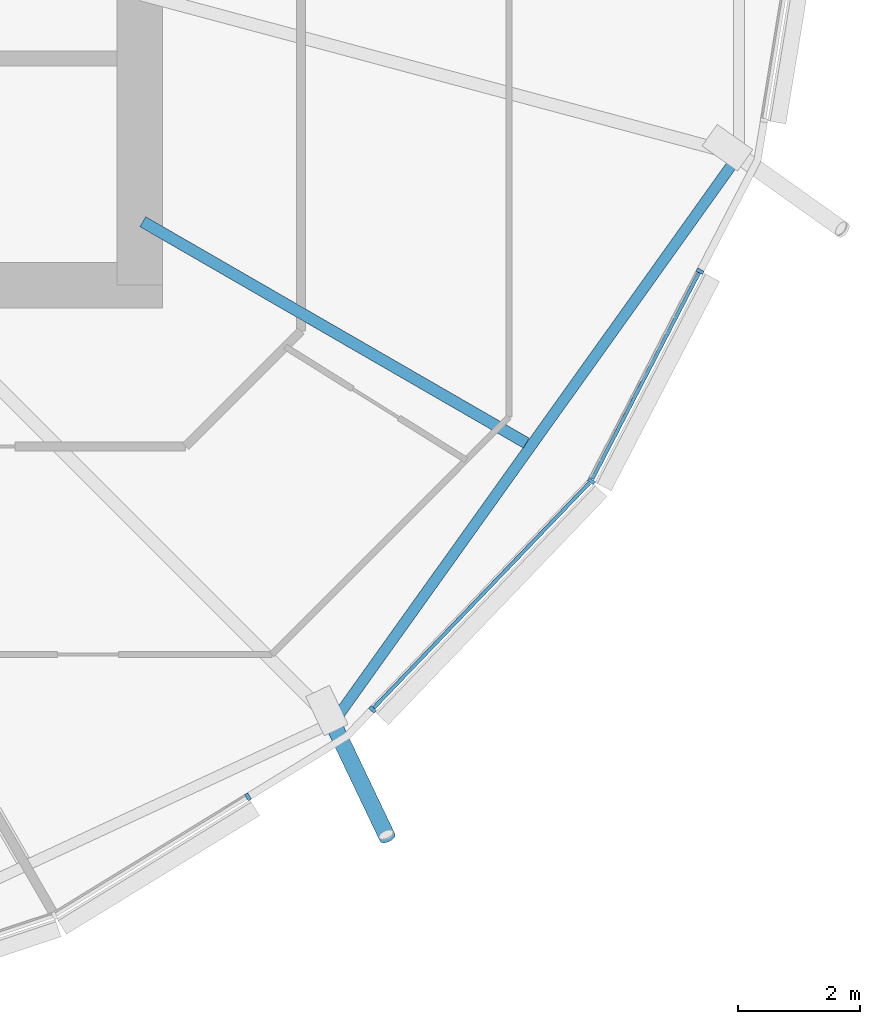
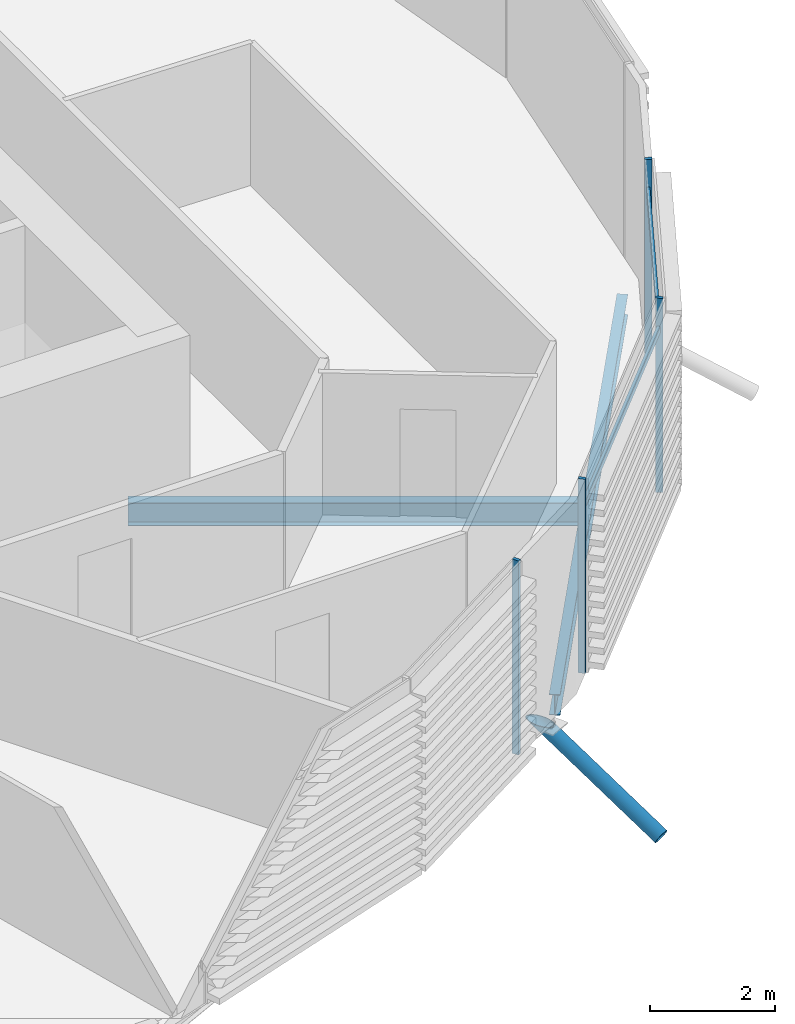
# One storey, part 6 of 38: 7 members, 2 beams, 1 element without a shape of its own.
"""IFC4 building model written with IfcOpenShell, lengths in metres."""

from ifc_helpers import new_model, si_unit, direction, frame, origin, origin_2d, place, context, subcontext, project, spatial, rectangle, hollow_circle, i_section, extrude, clip, halfspace, material, material_profile, profile_set, type_object, element, aggregate, save


model = new_model("IFC4")

# Units and contexts
model_context = context("Model", 3, precision=1e-05, world=origin(), true_north=direction((0.0, 1.0)))
body_context = subcontext(model_context, "Body", "Model", "MODEL_VIEW")
ifc_project = project(units=[si_unit("LENGTHUNIT", "METRE"), si_unit("AREAUNIT", "SQUARE_METRE"), si_unit("VOLUMEUNIT", "CUBIC_METRE"), si_unit("PLANEANGLEUNIT", "RADIAN"), si_unit("MASSUNIT", "GRAM", prefix="KILO")], contexts=[model_context])

# Site, building, storey
site_placement = place(None, origin())
site = spatial("IfcSite", under=ifc_project, at=site_placement, CompositionType="ELEMENT")
building_placement = place(site_placement, origin())
building = spatial("IfcBuilding", under=site, at=building_placement, Name="Rimbun Link Towers", CompositionType="ELEMENT")
storey_placement = place(building_placement, frame((0.0, 0.0, 119.60009765625)))
storey = spatial("IfcBuildingStorey", under=building, at=storey_placement, Name="L29", CompositionType="ELEMENT", Elevation=119.60009765625)

# Curtain wall, members
ifc_material_1 = material(Name="Aluminium 6063-T6 and low-iron glass", Category="aluminium")
curtain_wall_type = type_object("IfcCurtainWallType", Name="CW1-Z2 unitised vision wall (zone 2)", PredefinedType="NOTDEFINED", material=ifc_material_1)
curtain_wall_placement = place(storey_placement, origin())
curtain_wall = element("IfcCurtainWall", 1, at=curtain_wall_placement, inside=storey, type_object=curtain_wall_type, Name="CW1 L29 T1", PredefinedType="NOTDEFINED")
ifc_material_2 = material(Name="Aluminium 6063-T6", Category="aluminium")
ifc_material_profile_1 = material_profile(ifc_material_2, rectangle(XDim=0.1201171875, YDim=0.06005859375, at=origin_2d()), Name="MULLION 60X120")
ifc_profile_set_1 = profile_set([ifc_material_profile_1], Name="Aluminium 6063-T6")
member_type_1 = type_object("IfcMemberType", Name="CW1 mullion 60X120", PredefinedType="MULLION", material=ifc_profile_set_1)
member_1_placement = place(storey_placement, frame((-17.97216796875, -16.410888671875, 0.0), z_axis=(0.0, 0.0, 1.0), x_axis=(0.523243332621, -0.852183322336, 0.0)))
member_1 = element("IfcMember", 2, at=member_1_placement, type_object=member_type_1, Name="CW1 mullion", PredefinedType="MULLION", context=body_context, shape_type="SweptSolid", body=[
    extrude(rectangle(XDim=0.1201171875, YDim=0.06005859375, at=origin_2d()), origin(), (0.0, 0.0, 1.0), 3.7998046875),
])
member_2_placement = place(storey_placement, frame((-12.32763671875, -11.22021484375, 0.0), z_axis=(0.0, 0.0, 1.0), x_axis=(0.813347990418, -0.581777488807, 0.0)))
member_2 = element("IfcMember", 3, at=member_2_placement, type_object=member_type_1, Name="CW1 mullion", PredefinedType="MULLION", context=body_context, shape_type="SweptSolid", body=[
    extrude(rectangle(XDim=0.1201171875, YDim=0.06005859375, at=origin_2d()), origin(), (0.0, 0.0, 1.0), 3.7998046875),
])
member_3_placement = place(storey_placement, frame((-15.92578125, -14.97412109375, 0.0), z_axis=(0.0, 0.0, 1.0), x_axis=(0.721834717261, -0.692065488922, 0.0)))
member_3 = element("IfcMember", 4, at=member_3_placement, type_object=member_type_1, Name="CW1 mullion", PredefinedType="MULLION", context=body_context, shape_type="SweptSolid", body=[
    extrude(rectangle(XDim=0.1201171875, YDim=0.06005859375, at=origin_2d()), origin(), (0.0, 0.0, 1.0), 3.7998046875),
])
member_4_placement = place(storey_placement, frame((-10.54150390625, -7.769287109375, 0.0), z_axis=(0.0, 0.0, 1.0), x_axis=(0.888156623203, -0.459540871589, 0.0)))
member_4 = element("IfcMember", 5, at=member_4_placement, type_object=member_type_1, Name="CW1 mullion", PredefinedType="MULLION", context=body_context, shape_type="SweptSolid", body=[
    extrude(rectangle(XDim=0.1201171875, YDim=0.06005859375, at=origin_2d()), origin(), (0.0, 0.0, 1.0), 3.7998046875),
])
ifc_material_3 = material(Name="Aluminium 6063-T6", Category="aluminium")
ifc_material_profile_2 = material_profile(ifc_material_3, rectangle(XDim=0.06005859375, YDim=0.1201171875, at=origin_2d()), Name="TRANSOM 60X120")
ifc_profile_set_2 = profile_set([ifc_material_profile_2], Name="Aluminium 6063-T6")
member_type_2 = type_object("IfcMemberType", Name="CW1 transom 60X120", PredefinedType="USERDEFINED", material=ifc_profile_set_2)
member_5_placement = place(storey_placement, frame((-12.35546875, -11.2470703125, 3.199951171875), z_axis=(-0.692057260801, -0.721842605955, 0.0), x_axis=(0.721842605955, -0.692057260801, 0.0)))
member_5 = element("IfcMember", 6, at=member_5_placement, type_object=member_type_2, Name="CW1 transom", ObjectType="TRANSOM", PredefinedType="USERDEFINED", context=body_context, shape_type="SweptSolid", body=[
    extrude(rectangle(XDim=0.06005859375, YDim=0.1201171875, at=origin_2d()), origin(), (0.0, 0.0, 1.0), 5.131103515625),
])
member_6_placement = place(storey_placement, frame((-10.55712890625, -7.794921875, 3.199951171875), z_axis=(-0.459527309955, -0.888163639993, 0.0), x_axis=(0.888163639993, -0.459527309955, 0.0)))
member_6 = element("IfcMember", 7, at=member_6_placement, type_object=member_type_2, Name="CW1 transom", ObjectType="TRANSOM", PredefinedType="USERDEFINED", context=body_context, shape_type="SweptSolid", body=[
    extrude(rectangle(XDim=0.06005859375, YDim=0.1201171875, at=origin_2d()), origin(), (0.0, 0.0, 1.0), 3.8173828125),
])
aggregate(curtain_wall, [member_1, member_2, member_3, member_4, member_5, member_6])

# Member
ifc_material_4 = material(Name="Steel S355J2H", Category="steel")
ifc_material_profile_3 = material_profile(ifc_material_4, hollow_circle(Radius=0.136474609375, WallThickness=0.012451171875, at=origin_2d()), Name="CHS 273x12.5")
ifc_profile_set_3 = profile_set([ifc_material_profile_3], Name="Steel S355J2H")
member_type_3 = type_object("IfcMemberType", Name="Floor edge link CHS 273x12.5", PredefinedType="BRACE", material=ifc_profile_set_3)
member_7_placement = place(storey_placement, frame((-16.6015625, -15.1484375, -0.8115234375), z_axis=(0.374820017333, -0.785011630274, -0.493220736527), x_axis=(0.902411594932, 0.430875055361, 0.0)))
element("IfcMember", 8, at=member_7_placement, inside=storey, type_object=member_type_3, Name="Floor edge link T1 L29 21", PredefinedType="BRACE", context=body_context, shape_type="Clipping", body=[
    clip(extrude(hollow_circle(Radius=0.136474609375, WallThickness=0.012451171875, at=origin_2d()), frame((0.0, 0.0, -0.501708984375)), (0.0, 0.0, 1.0), 2.9658203125), halfspace(frame((0.0, 0.0, -0.23583984375), z_axis=(0.0, 0.869904193035, -0.493220736527)), False)),
])

# Beams
ifc_material_5 = material(Name="Steel S355J2", Category="steel")
ifc_material_profile_4 = material_profile(ifc_material_5, i_section(OverallWidth=0.177978515625, OverallDepth=0.406494140625, WebThickness=0.0078125, FlangeThickness=0.0126953125, at=origin_2d()), Name="UB 406x178x60")
ifc_profile_set_4 = profile_set([ifc_material_profile_4], Name="Steel S355J2")
beam_type_1 = type_object("IfcBeamType", Name="UB 406x178x60", PredefinedType="BEAM", material=ifc_profile_set_4)
beam_1_placement = place(storey_placement, frame((-16.50390625, -15.0966796875, -0.36328125), z_axis=(0.581400410141, 0.813617577913, 0.0), x_axis=(-0.813617577913, 0.581400410141, 0.0)))
element("IfcBeam", 9, at=beam_1_placement, inside=storey, type_object=beam_type_1, Name="Edge beam T1 L29 21-23", PredefinedType="BEAM", context=body_context, shape_type="SweptSolid", body=[
    extrude(i_section(OverallWidth=0.177978515625, OverallDepth=0.406494140625, WebThickness=0.0078125, FlangeThickness=0.0126953125, at=origin_2d()), origin(), (0.0, 0.0, 1.0), 11.246337890625),
])
ifc_material_6 = material(Name="Steel S355J2", Category="steel")
ifc_material_profile_5 = material_profile(ifc_material_6, i_section(OverallWidth=0.18994140625, OverallDepth=0.453369140625, WebThickness=0.008544921875, FlangeThickness=0.0126953125, at=origin_2d()), Name="UB 457x191x67")
ifc_profile_set_5 = profile_set([ifc_material_profile_5], Name="Steel S355J2")
beam_type_2 = type_object("IfcBeamType", Name="UB 457x191x67", PredefinedType="BEAM", material=ifc_profile_set_5)
beam_2_placement = place(storey_placement, frame((-19.70166015625, -6.9560546875, -0.38671875), z_axis=(0.866028075408, -0.499995372584, 0.0), x_axis=(0.499995372584, 0.866028075408, 0.0)))
element("IfcBeam", 10, at=beam_2_placement, inside=storey, type_object=beam_type_2, Name="Radial beam T1 L29 22", PredefinedType="BEAM", context=body_context, shape_type="SweptSolid", body=[
    extrude(i_section(OverallWidth=0.18994140625, OverallDepth=0.453369140625, WebThickness=0.008544921875, FlangeThickness=0.0126953125, at=origin_2d()), origin(), (0.0, 0.0, 1.0), 7.27880859375),
])

save(model, "model.ifc")
